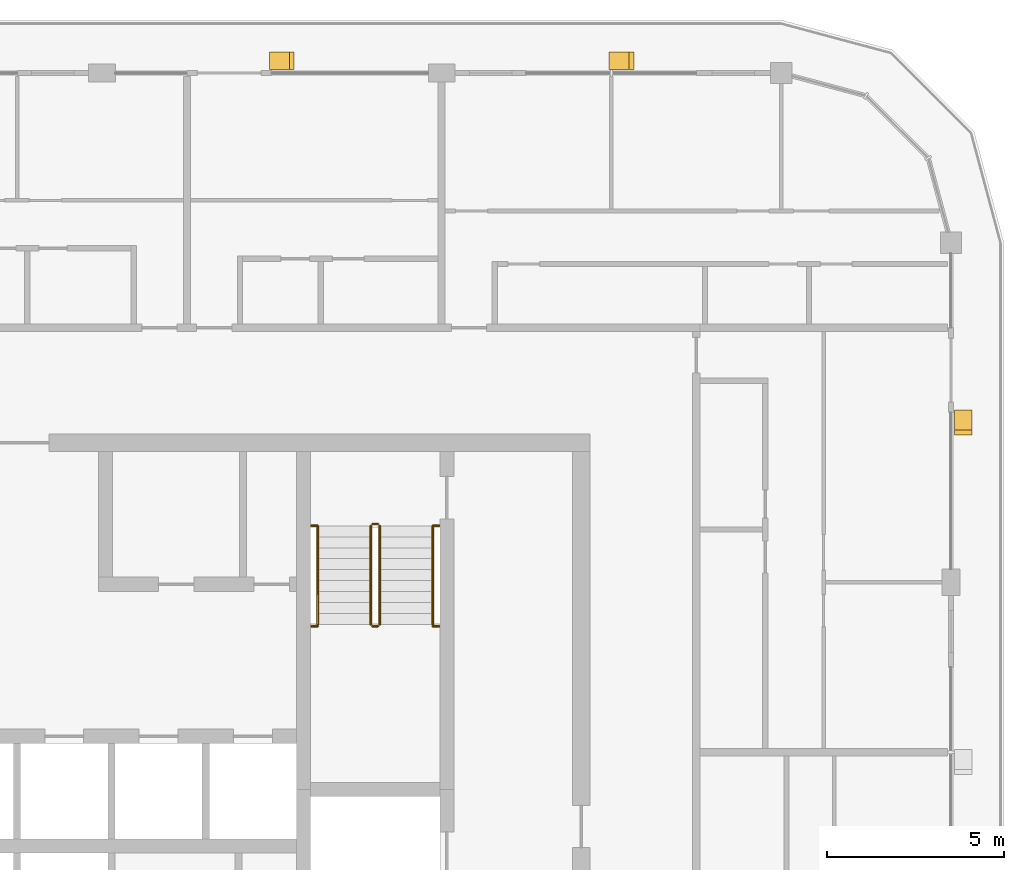
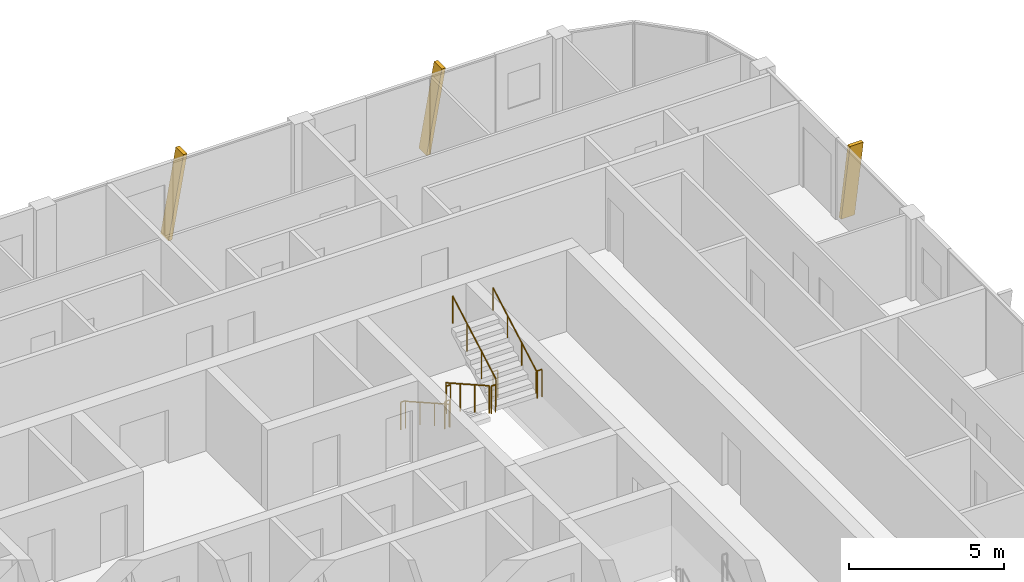
# One storey, part 21 of 21: 10 railings, 3 shading devices.
"""IFC4 building model written with IfcOpenShell, lengths in metres."""

import ifcopenshell
import ifcopenshell.guid

model = None  # the IFC model being written
_history = None  # IfcOwnerHistory: only IFC2X3 demands one
_inside = {}  # id of a spatial element -> (the spatial element, [elements in it])
_under = {}  # id of a project, library or spatial element -> (it, [spatial elements below it])
_declared = {}  # id of a project -> (the project, [libraries it declares])
_typed = {}  # id of a type object -> (the type object, [elements of that type])
_made_of = {}  # id of a material, layer set ... -> (it, [elements and type objects made of it])


def new_model(schema):
    """Start an empty IFC model of exactly this schema.

    Asked for "IFC4X3", IfcOpenShell would pick the latest addendum, in which some entities
    have other attributes; the version numbers below select the first issue.
    IFC2X3 requires an IfcOwnerHistory on every rooted entity: one is made here for all.
    """
    global model, _history
    if schema == "IFC4X3":
        model = ifcopenshell.file(schema_version=(4, 3, 0, 0))
    else:
        model = ifcopenshell.file(schema=schema)
    _inside.clear()
    _under.clear()
    _declared.clear()
    _typed.clear()
    _made_of.clear()
    _history = None
    if model.schema == "IFC2X3":
        org = make("IfcOrganization", Name="unknown")
        user = make(
            "IfcPersonAndOrganization",
            ThePerson=make("IfcPerson", FamilyName="unknown"),
            TheOrganization=org,
        )
        app = make(
            "IfcApplication",
            ApplicationDeveloper=org,
            Version="unknown",
            ApplicationFullName="unknown",
            ApplicationIdentifier="unknown",
        )
        _history = make(
            "IfcOwnerHistory",
            OwningUser=user,
            OwningApplication=app,
            ChangeAction="ADDED",
            CreationDate=0,
        )
    return model


def make(cls, **values):
    """One entity of the class cls with the attributes given. An attribute that is None is left unset."""
    return model.create_entity(
        cls, **{name: value for name, value in values.items() if value is not None}
    )


def rooted(cls, **values):
    """An entity with a GlobalId (a new one), such as an element, a storey or a relation."""
    return make(cls, GlobalId=ifcopenshell.guid.new(), OwnerHistory=_history, **values)


def si_unit(unit_type, name, prefix=None):
    """IfcSIUnit, for example si_unit("LENGTHUNIT", "METRE", prefix="MILLI")."""
    return make("IfcSIUnit", UnitType=unit_type, Prefix=prefix, Name=name)


def assignment(units):
    """IfcUnitAssignment: the units of a project."""
    return None if units is None else make("IfcUnitAssignment", Units=units)


def point(xyz):
    """IfcCartesianPoint."""
    return None if xyz is None else make("IfcCartesianPoint", Coordinates=xyz)


def direction(xyz):
    """IfcDirection."""
    return None if xyz is None else make("IfcDirection", DirectionRatios=xyz)


def frame(location, z_axis=None, x_axis=None):
    """IfcAxis2Placement3D, a coordinate frame: its origin and axes. An axis left out is left unset."""
    return make(
        "IfcAxis2Placement3D",
        Location=point(location),
        Axis=direction(z_axis),
        RefDirection=direction(x_axis),
    )


def frame_2d(location, x_axis=None):
    """IfcAxis2Placement2D, a coordinate frame in the plane: its origin and x axis."""
    return make(
        "IfcAxis2Placement2D", Location=point(location), RefDirection=direction(x_axis)
    )


def origin():
    """The frame at (0, 0, 0) with its axes left unset."""
    return frame((0.0, 0.0, 0.0))


def origin_2d():
    """The frame at (0, 0) in the plane with its x axis left unset."""
    return frame_2d((0.0, 0.0))


def place(relative_to, where):
    """IfcLocalPlacement: puts the frame where relative to a parent placement (None: the world)."""
    return make(
        "IfcLocalPlacement", PlacementRelTo=relative_to, RelativePlacement=where
    )


def context(
    kind, dimensions, precision=None, world=None, true_north=None, identifier=None
):
    """IfcGeometricRepresentationContext, for example the 3D "Model" context."""
    return make(
        "IfcGeometricRepresentationContext",
        ContextIdentifier=identifier,
        ContextType=kind,
        CoordinateSpaceDimension=dimensions,
        Precision=precision,
        WorldCoordinateSystem=world,
        TrueNorth=true_north,
    )


def subcontext(parent, identifier, kind, view, scale=None):
    """IfcGeometricRepresentationSubContext, for example "Body" below "Model"."""
    return make(
        "IfcGeometricRepresentationSubContext",
        ContextIdentifier=identifier,
        ContextType=kind,
        ParentContext=parent,
        TargetScale=scale,
        TargetView=view,
    )


def project(units=None, contexts=None):
    """IfcProject with its units and contexts."""
    return rooted(
        "IfcProject",
        Name="project",
        RepresentationContexts=contexts,
        UnitsInContext=assignment(units),
    )


def spatial(cls, under=None, at=None, **own):
    """A site, building, storey or space (cls), placed at a placement, below another one or the project."""
    s = rooted(cls, ObjectPlacement=at, **own)
    if under is not None:
        _under.setdefault(under.id(), (under, []))[1].append(s)
    return s


def polyline(points):
    """IfcPolyline through the points."""
    return make("IfcPolyline", Points=[point(p) for p in points])


def profile(cls, at=None, kind="AREA", **sizes):
    """A parametric profile (cls). Its sizes go by their IFC names, for example OverallWidth=200.0."""
    return make(cls, ProfileType=kind, Position=at, **sizes)


def circle(**sizes):
    """IfcCircleProfileDef."""
    return profile("IfcCircleProfileDef", **sizes)


def outline(outer, holes=None, kind="AREA"):
    """IfcArbitraryClosedProfileDef: a profile drawn as a closed curve; with holes, ...WithVoids."""
    if holes is None:
        return make("IfcArbitraryClosedProfileDef", ProfileType=kind, OuterCurve=outer)
    return make(
        "IfcArbitraryProfileDefWithVoids",
        ProfileType=kind,
        OuterCurve=outer,
        InnerCurves=holes,
    )


def extrude(swept, where, along, depth):
    """IfcExtrudedAreaSolid: the profile swept, set in the frame where, extruded along a direction by depth."""
    return make(
        "IfcExtrudedAreaSolid",
        SweptArea=swept,
        Position=where,
        ExtrudedDirection=direction(along),
        Depth=depth,
    )


def shape(context_of_items, identifier, shape_type, items):
    """IfcShapeRepresentation: the items that make up one representation, for example the "Body"."""
    return make(
        "IfcShapeRepresentation",
        ContextOfItems=context_of_items,
        RepresentationIdentifier=identifier,
        RepresentationType=shape_type,
        Items=items,
    )


def material(Name=None, Category=None):
    """IfcMaterial."""
    return make("IfcMaterial", Name=Name, Category=Category)


def made_of(thing, what):
    """Note that an element or type object is made of a material, layer set ...; save() writes the relation."""
    if what is not None:
        _made_of.setdefault(what.id(), (what, []))[1].append(thing)
    return thing


def type_object(cls, material=None, **own):
    """A type object (cls), such as IfcWallType, which elements share."""
    return made_of(rooted(cls, **own), material)


def element(
    cls,
    number,
    at=None,
    inside=None,
    cuts=None,
    type_object=None,
    material=None,
    context=None,
    identifier="Body",
    shape_type=None,
    held_by="IfcProductDefinitionShape",
    body=None,
    shapes=None,
    **own,
):
    """One element of the class cls, such as IfcWall. Its Tag is "e" and its number.

    at: its placement. inside: the storey or other place that contains it. cuts: it is an
    opening in that element (IfcRelVoidsElement). A single representation is given by context,
    identifier, shape_type and body (its items); several are given by shapes. held_by: the class
    of the entity that holds the representations. save() writes the other relations.
    """
    e = rooted(cls, Tag="e%d" % number, ObjectPlacement=at, **own)
    if body is not None:
        shapes = [shape(context, identifier, shape_type, body)]
    if shapes is not None:
        e.Representation = make(held_by, Representations=shapes)
    if inside is not None:
        _inside.setdefault(inside.id(), (inside, []))[1].append(e)
    if cuts is not None:
        rooted(
            "IfcRelVoidsElement", RelatingBuildingElement=cuts, RelatedOpeningElement=e
        )
    if type_object is not None:
        _typed.setdefault(type_object.id(), (type_object, []))[1].append(e)
    return made_of(e, material)


def aggregate(whole, parts):
    """IfcRelAggregates: a whole, such as a stair, and the parts it consists of."""
    return rooted("IfcRelAggregates", RelatingObject=whole, RelatedObjects=parts)


def save(model, path):
    """Write the relations noted so far, then the file.

    IfcRelAggregates (storeys below a building ...), IfcRelContainedInSpatialStructure (elements
    in a storey), IfcRelDefinesByType, IfcRelAssociatesMaterial and IfcRelDeclares: one each for
    every whole, place, type object, material and project.
    """
    for whole, parts in _under.values():
        aggregate(whole, parts)
    for where, things in _inside.values():
        rooted(
            "IfcRelContainedInSpatialStructure",
            RelatedElements=things,
            RelatingStructure=where,
        )
    for kind, things in _typed.values():
        rooted("IfcRelDefinesByType", RelatedObjects=things, RelatingType=kind)
    for what, things in _made_of.values():
        rooted("IfcRelAssociatesMaterial", RelatedObjects=things, RelatingMaterial=what)
    for by, libraries in _declared.values():
        rooted("IfcRelDeclares", RelatingContext=by, RelatedDefinitions=libraries)
    model.write(path)


model = new_model("IFC4")

# Units and contexts
model_context = context("Model", 3, precision=1e-05, world=origin(), true_north=direction((0.0, 1.0)))
body_context = subcontext(model_context, "Body", "Model", "MODEL_VIEW")
ifc_project = project(units=[si_unit("LENGTHUNIT", "METRE"), si_unit("AREAUNIT", "SQUARE_METRE"), si_unit("VOLUMEUNIT", "CUBIC_METRE"), si_unit("PLANEANGLEUNIT", "RADIAN"), si_unit("MASSUNIT", "GRAM", prefix="KILO")], contexts=[model_context])

# Site, building, storey
site_placement = place(None, origin())
site = spatial("IfcSite", under=ifc_project, at=site_placement, CompositionType="ELEMENT")
building_placement = place(site_placement, origin())
building = spatial("IfcBuilding", under=site, at=building_placement, Name="Madar Terraces", CompositionType="ELEMENT")
storey_placement = place(building_placement, frame((0.0, 0.0, 272.10009765625)))
storey = spatial("IfcBuildingStorey", under=building, at=storey_placement, Name="L71", CompositionType="ELEMENT", Elevation=272.10009765625)

# Shading devices
ifc_material_1 = material(Name="Aluminium, black anodised", Category="aluminium")
shading_device_type = type_object("IfcShadingDeviceType", Name="Facade fin blade 140 x 500", PredefinedType="USERDEFINED", material=ifc_material_1)
shading_device_1_placement = place(storey_placement, frame((57.949951171875, 38.330078125, 0.0), z_axis=(0.0, 0.0, 1.0), x_axis=(0.0, 1.0, 0.0)))
element("IfcShadingDevice", 1, at=shading_device_1_placement, inside=storey, type_object=shading_device_type, Name="FIN L71 E4", ObjectType="FIN", PredefinedType="USERDEFINED", context=body_context, shape_type="SweptSolid", body=[
    extrude(outline(polyline([(0.0, 0.0), (0.139892578125, 0.0), (-0.42431640625, 3.199951171875), (-0.564208984375, 3.199951171875), (0.0, 0.0)])), frame((0.0, 0.25, 0.0), z_axis=(0.0, -1.0, 0.0), x_axis=(1.0, 0.0, 0.0)), (0.0, 0.0, 1.0), 0.5),
])
shading_device_2_placement = place(storey_placement, frame((48.070068359375, 48.35009765625, 0.0), z_axis=(0.0, 0.0, 1.0), x_axis=(-1.0, 0.0, 0.0)))
element("IfcShadingDevice", 2, at=shading_device_2_placement, inside=storey, type_object=shading_device_type, Name="FIN L71 N1", ObjectType="FIN", PredefinedType="USERDEFINED", context=body_context, shape_type="SweptSolid", body=[
    extrude(outline(polyline([(0.0, 0.0), (0.14013671875, 0.0), (-0.42431640625, 3.199951171875), (-0.564208984375, 3.199951171875), (0.0, 0.0)])), frame((0.0, 0.25, 0.0), z_axis=(0.0, -1.0, 0.0), x_axis=(1.0, 0.0, 0.0)), (0.0, 0.0, 1.0), 0.5),
])
shading_device_3_placement = place(storey_placement, frame((38.469970703125, 48.35009765625, 0.0), z_axis=(0.0, 0.0, 1.0), x_axis=(-1.0, 0.0, 0.0)))
element("IfcShadingDevice", 3, at=shading_device_3_placement, inside=storey, type_object=shading_device_type, Name="FIN L71 N2", ObjectType="FIN", PredefinedType="USERDEFINED", context=body_context, shape_type="SweptSolid", body=[
    extrude(outline(polyline([(0.0, 0.0), (0.139892578125, 0.0), (-0.42431640625, 3.199951171875), (-0.564208984375, 3.199951171875), (0.0, 0.0)])), frame((0.0, 0.25, 0.0), z_axis=(0.0, -1.0, 0.0), x_axis=(1.0, 0.0, 0.0)), (0.0, 0.0, 1.0), 0.5),
])

# Railings
ifc_material_2 = material(Name="Stainless steel railing", Category="steel")
railing_type_1 = type_object("IfcRailingType", Name="Stair guard 1100", PredefinedType="GUARDRAIL", material=ifc_material_2)
railing_1_placement = place(storey_placement, frame((41.199951171875, 35.199951171875, 0.1748046875)))
element("IfcRailing", 4, at=railing_1_placement, inside=storey, type_object=railing_type_1, Name="L71 ST2 stair guard 1", PredefinedType="GUARDRAIL", context=body_context, shape_type="SweptSolid", body=[
    extrude(circle(Radius=0.02392578125, at=origin_2d()), frame((0.0, 0.0, 1.076171875), z_axis=(0.0, -0.870801158333, 0.491635375706), x_axis=(1.0, 0.0, 0.0)), (0.0, 0.0, 1.0), 3.2041015625),
    extrude(circle(Radius=0.02099609375, at=origin_2d()), origin(), (0.0, 0.0, 1.0), 1.052001953125),
    extrude(circle(Radius=0.02099609375, at=origin_2d()), frame((0.0, -0.929931640625, 0.525146484375)), (0.0, 0.0, 1.0), 1.052001953125),
    extrude(circle(Radius=0.02099609375, at=origin_2d()), frame((0.0, -1.860107421875, 1.050048828125)), (0.0, 0.0, 1.0), 1.052001953125),
    extrude(circle(Radius=0.02099609375, at=origin_2d()), frame((0.0, -2.7900390625, 1.5751953125)), (0.0, 0.0, 1.0), 1.052001953125),
])
railing_2_placement = place(storey_placement, frame((41.25, 32.360107421875, 1.75)))
element("IfcRailing", 5, at=railing_2_placement, inside=storey, type_object=railing_type_1, Name="L71 ST2 stair guard 2", PredefinedType="GUARDRAIL", context=body_context, shape_type="SweptSolid", body=[
    extrude(circle(Radius=0.02392578125, at=origin_2d()), frame((0.0, 0.0, 1.076171875), z_axis=(1.0, 0.0, 0.0), x_axis=(0.0, 1.0, 0.0)), (0.0, 0.0, 1.0), 0.14990234375),
    extrude(circle(Radius=0.02099609375, at=origin_2d()), origin(), (0.0, 0.0, 1.0), 1.052001953125),
    extrude(circle(Radius=0.02099609375, at=origin_2d()), frame((0.14990234375, 0.0, 0.0)), (0.0, 0.0, 1.0), 1.052001953125),
])
railing_3_placement = place(storey_placement, frame((41.449951171875, 32.409912109375, 1.9248046875)))
element("IfcRailing", 6, at=railing_3_placement, inside=storey, type_object=railing_type_1, Name="L71 ST2 stair guard 3", PredefinedType="GUARDRAIL", context=body_context, shape_type="SweptSolid", body=[
    extrude(circle(Radius=0.02392578125, at=origin_2d()), frame((0.0, 0.0, 1.076171875), z_axis=(0.0, 0.870801158333, 0.491635375706), x_axis=(-1.0, 0.0, 0.0)), (0.0, 0.0, 1.0), 3.2041015625),
    extrude(circle(Radius=0.02099609375, at=origin_2d()), origin(), (0.0, 0.0, 1.0), 1.052001953125),
    extrude(circle(Radius=0.02099609375, at=origin_2d()), frame((0.0, 0.929931640625, 0.525146484375)), (0.0, 0.0, 1.0), 1.052001953125),
    extrude(circle(Radius=0.02099609375, at=origin_2d()), frame((0.0, 1.860107421875, 1.050048828125)), (0.0, 0.0, 1.0), 1.052001953125),
    extrude(circle(Radius=0.02099609375, at=origin_2d()), frame((0.0, 2.7900390625, 1.5751953125)), (0.0, 0.0, 1.0), 1.052001953125),
])
railing_4_placement = place(storey_placement, frame((41.25, 35.25, 0.0)))
element("IfcRailing", 7, at=railing_4_placement, inside=storey, type_object=railing_type_1, Name="L71 ST2 stair guard 4", PredefinedType="GUARDRAIL", context=body_context, shape_type="SweptSolid", body=[
    extrude(circle(Radius=0.02392578125, at=origin_2d()), frame((0.0, 0.0, 1.076171875), z_axis=(1.0, 0.0, 0.0), x_axis=(0.0, 1.0, 0.0)), (0.0, 0.0, 1.0), 0.14990234375),
    extrude(circle(Radius=0.02099609375, at=origin_2d()), origin(), (0.0, 0.0, 1.0), 1.052001953125),
    extrude(circle(Radius=0.02099609375, at=origin_2d()), frame((0.14990234375, 0.0, 0.0)), (0.0, 0.0, 1.0), 1.052001953125),
])
for number, where, name in (
    (8, (39.52001953125, 32.360107421875, 1.75), "L71 stair guard seat 1"),
    (9, (42.949951171875, 32.360107421875, 1.75), "L71 stair guard seat 2"),
    (10, (39.52001953125, 35.199951171875, 0.0), "L71 stair guard floor 1"),
    (11, (42.949951171875, 35.199951171875, 0.0), "L71 stair guard floor 2"),
):
    element("IfcRailing", number, at=place(storey_placement, frame(where)), inside=storey, type_object=railing_type_1, Name=name, PredefinedType="GUARDRAIL", context=body_context, shape_type="SweptSolid", body=[
        extrude(circle(Radius=0.02392578125, at=origin_2d()), frame((0.0, 0.0, 1.076171875), z_axis=(1.0, 0.0, 0.0), x_axis=(0.0, 1.0, 0.0)), (0.0, 0.0, 1.0), 0.179931640625),
        extrude(circle(Radius=0.02099609375, at=origin_2d()), origin(), (0.0, 0.0, 1.0), 1.052001953125),
        extrude(circle(Radius=0.02099609375, at=origin_2d()), frame((0.179931640625, 0.0, 0.0)), (0.0, 0.0, 1.0), 1.052001953125),
    ])
ifc_material_3 = material(Name="Stainless steel railing", Category="steel")
railing_type_2 = type_object("IfcRailingType", Name="Stair handrail 900", PredefinedType="HANDRAIL", material=ifc_material_3)
railing_5_placement = place(storey_placement, frame((39.699951171875, 35.199951171875, 0.1748046875)))
element("IfcRailing", 12, at=railing_5_placement, inside=storey, type_object=railing_type_2, Name="L71 ST2 stair handrail 1", PredefinedType="HANDRAIL", context=body_context, shape_type="SweptSolid", body=[
    extrude(circle(Radius=0.02392578125, at=origin_2d()), frame((0.0, 0.0, 0.8759765625), z_axis=(0.0, -0.870801158333, 0.491635375706), x_axis=(1.0, 0.0, 0.0)), (0.0, 0.0, 1.0), 3.2041015625),
    extrude(circle(Radius=0.02099609375, at=origin_2d()), origin(), (0.0, 0.0, 1.0), 0.851806640625),
    extrude(circle(Radius=0.02099609375, at=origin_2d()), frame((0.0, -0.929931640625, 0.525146484375)), (0.0, 0.0, 1.0), 0.851806640625),
    extrude(circle(Radius=0.02099609375, at=origin_2d()), frame((0.0, -1.860107421875, 1.050048828125)), (0.0, 0.0, 1.0), 0.851806640625),
    extrude(circle(Radius=0.02099609375, at=origin_2d()), frame((0.0, -2.7900390625, 1.5751953125)), (0.0, 0.0, 1.0), 0.851806640625),
])
railing_6_placement = place(storey_placement, frame((42.949951171875, 32.409912109375, 1.9248046875)))
element("IfcRailing", 13, at=railing_6_placement, inside=storey, type_object=railing_type_2, Name="L71 ST2 stair handrail 2", PredefinedType="HANDRAIL", context=body_context, shape_type="SweptSolid", body=[
    extrude(circle(Radius=0.02392578125, at=origin_2d()), frame((0.0, 0.0, 0.8759765625), z_axis=(0.0, 0.870801158333, 0.491635375706), x_axis=(-1.0, 0.0, 0.0)), (0.0, 0.0, 1.0), 3.2041015625),
    extrude(circle(Radius=0.02099609375, at=origin_2d()), origin(), (0.0, 0.0, 1.0), 0.851806640625),
    extrude(circle(Radius=0.02099609375, at=origin_2d()), frame((0.0, 0.929931640625, 0.525146484375)), (0.0, 0.0, 1.0), 0.851806640625),
    extrude(circle(Radius=0.02099609375, at=origin_2d()), frame((0.0, 1.860107421875, 1.050048828125)), (0.0, 0.0, 1.0), 0.851806640625),
    extrude(circle(Radius=0.02099609375, at=origin_2d()), frame((0.0, 2.7900390625, 1.5751953125)), (0.0, 0.0, 1.0), 0.851806640625),
])

save(model, "model.ifc")
